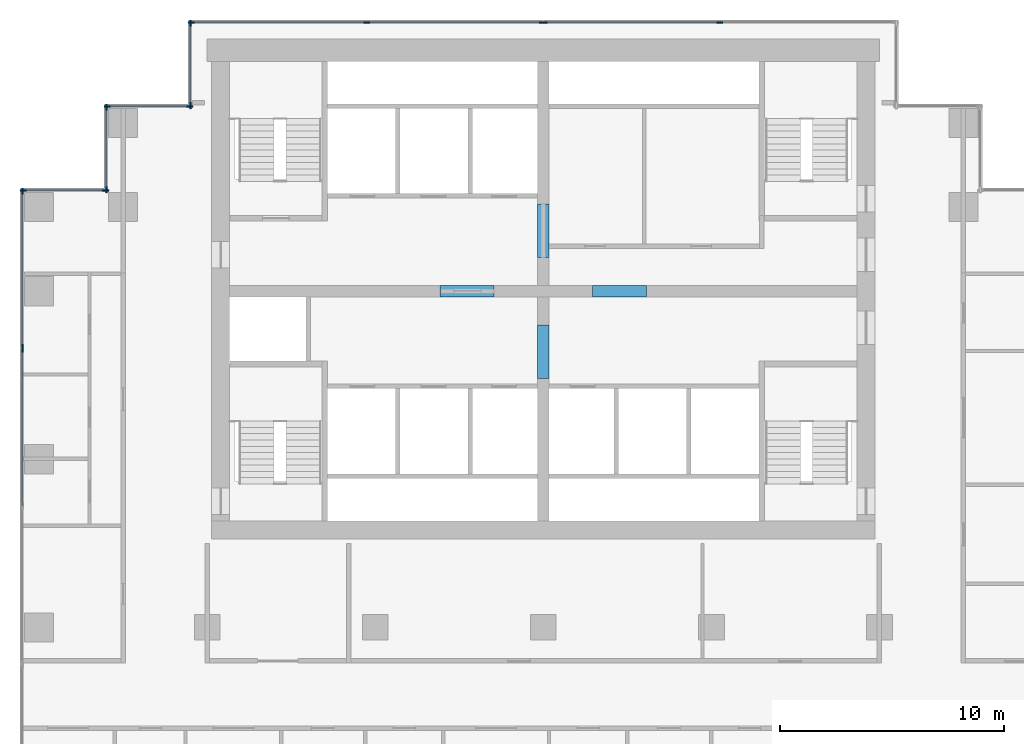
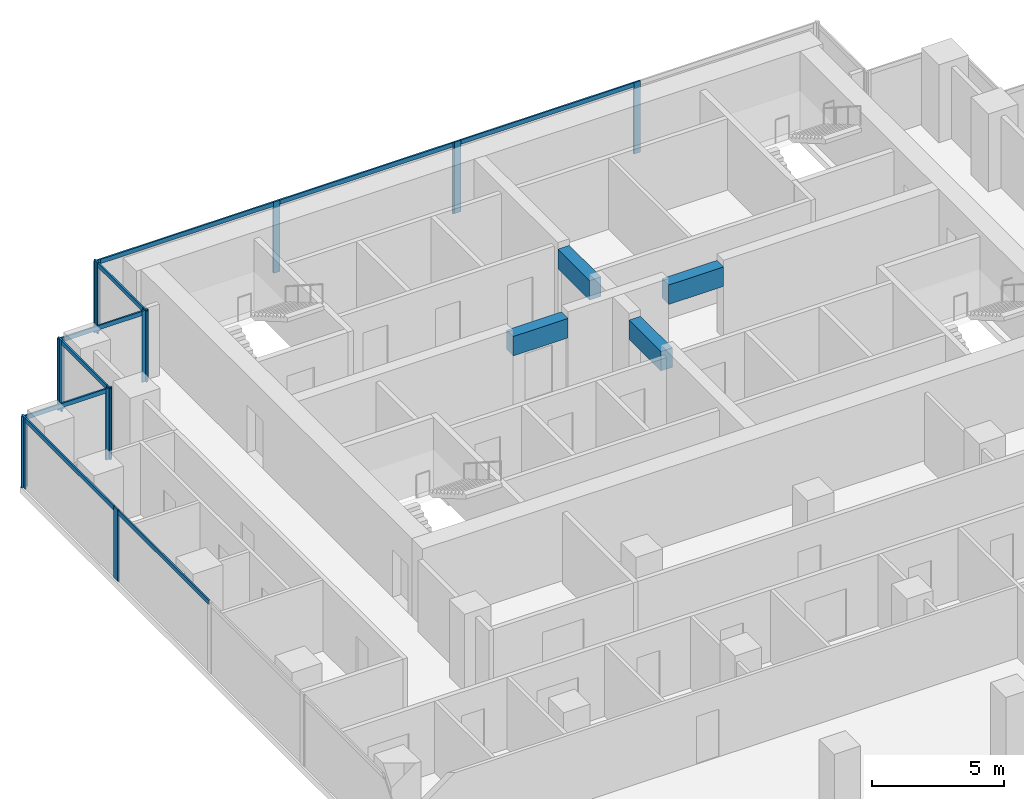
# One storey, part 4 of 10: 25 members, 4 beams, 8 elements without a shape of their own.
"""IFC4 building model written with IfcOpenShell, lengths in metres."""

from ifc_helpers import new_model, si_unit, direction, frame, origin, origin_2d, place, context, subcontext, project, spatial, rectangle, extrude, material, material_profile, profile_set, type_object, element, aggregate, save


model = new_model("IFC4")

# Units and contexts
model_context = context("Model", 3, precision=1e-05, world=origin(), true_north=direction((0.0, 1.0)))
body_context = subcontext(model_context, "Body", "Model", "MODEL_VIEW")
ifc_project = project(units=[si_unit("LENGTHUNIT", "METRE"), si_unit("AREAUNIT", "SQUARE_METRE"), si_unit("VOLUMEUNIT", "CUBIC_METRE"), si_unit("PLANEANGLEUNIT", "RADIAN"), si_unit("MASSUNIT", "GRAM", prefix="KILO")], contexts=[model_context])

# Site, building, storey
site_placement = place(None, origin())
site = spatial("IfcSite", under=ifc_project, at=site_placement, CompositionType="ELEMENT")
building_placement = place(site_placement, origin())
building = spatial("IfcBuilding", under=site, at=building_placement, Name="Pilkhan Gate Tower", CompositionType="ELEMENT")
storey_placement = place(building_placement, frame((0.0, 0.0, 107.199951171875)))
storey = spatial("IfcBuildingStorey", under=building, at=storey_placement, Name="L26", CompositionType="ELEMENT", Elevation=107.199951171875)

# Beams
ifc_material_1 = material(Name="Concrete C60/75", Category="concrete")
ifc_material_profile_1 = material_profile(ifc_material_1, rectangle(XDim=0.5, YDim=0.89990234375, at=origin_2d()), Name="RC 500x900")
ifc_profile_set_1 = profile_set([ifc_material_profile_1], Name="Concrete C60/75")
beam_type = type_object("IfcBeamType", Name="Coupling beam CB90 RC 500x900 C60/75", PredefinedType="LINTEL", material=ifc_profile_set_1)
for number, where, z_axis, x_axis, name in (
    (1, (70.39990234375, 82.5, 2.85009765625), (1.0, 0.0, 0.0), (0.0, 1.0, 0.0), "Coupling beam 1 L26"),
    (2, (77.199951171875, 82.5, 2.85009765625), (1.0, 0.0, 0.0), (0.0, 1.0, 0.0), "Coupling beam 2 L26"),
):
    element("IfcBeam", number, at=place(storey_placement, frame(where, z_axis=z_axis, x_axis=x_axis)), inside=storey, type_object=beam_type, Name=name, PredefinedType="LINTEL", context=body_context, shape_type="SweptSolid", body=[
        extrude(rectangle(XDim=0.5, YDim=0.89990234375, at=origin_2d()), origin(), (0.0, 0.0, 1.0), 2.400146484375),
    ])
for number, where, z_axis, x_axis, name in (
    (3, (75.0, 78.60009765625, 2.85009765625), (0.0, 1.0, 0.0), (-1.0, 0.0, 0.0), "Coupling beam 3 L26"),
    (4, (75.0, 84.0, 2.85009765625), (0.0, 1.0, 0.0), (-1.0, 0.0, 0.0), "Coupling beam 4 L26"),
):
    element("IfcBeam", number, at=place(storey_placement, frame(where, z_axis=z_axis, x_axis=x_axis)), inside=storey, type_object=beam_type, Name=name, PredefinedType="LINTEL", context=body_context, shape_type="SweptSolid", body=[
        extrude(rectangle(XDim=0.5, YDim=0.89990234375, at=origin_2d()), origin(), (0.0, 0.0, 1.0), 2.39990234375),
    ])

# Curtain wall, members
ifc_material_2 = material(Name="Pale anodised aluminium, clear low-iron double glazing", Category="aluminium")
curtain_wall_type = type_object("IfcCurtainWallType", Name="Office unitised curtain wall CW-O1", PredefinedType="USERDEFINED", material=ifc_material_2)
curtain_wall_1_placement = place(storey_placement, origin())
curtain_wall_1 = element("IfcCurtainWall", 5, at=curtain_wall_1_placement, inside=storey, type_object=curtain_wall_type, Name="Office unitised curtain wall CW-O1 L26 N", ObjectType="UNITISED CURTAIN WALL", PredefinedType="USERDEFINED")
ifc_material_3 = material(Name="Pale anodised aluminium", Category="aluminium")
ifc_material_profile_2 = material_profile(ifc_material_3, rectangle(XDim=0.070068359375, YDim=0.27490234375, at=origin_2d()), Name="Mullion 275x70")
ifc_profile_set_2 = profile_set([ifc_material_profile_2], Name="Pale anodised aluminium")
member_type_1 = type_object("IfcMemberType", Name="Mullion CW-O1 275x70", PredefinedType="MULLION", material=ifc_profile_set_2)
member_1_placement = place(storey_placement, frame((59.284912109375, 94.5, 0.0), z_axis=(0.0, 0.0, 1.0), x_axis=(0.0, 1.0, 0.0)))
member_1 = element("IfcMember", 6, at=member_1_placement, type_object=member_type_1, Name="CW-O1 mullion 1", PredefinedType="MULLION", context=body_context, shape_type="SweptSolid", body=[
    extrude(rectangle(XDim=0.070068359375, YDim=0.27490234375, at=origin_2d()), origin(), (0.0, 0.0, 1.0), 3.300048828125),
])
member_2_placement = place(storey_placement, frame((67.125, 94.5, 0.0), z_axis=(0.0, 0.0, 1.0), x_axis=(0.0, 1.0, 0.0)))
member_2 = element("IfcMember", 7, at=member_2_placement, type_object=member_type_1, Name="CW-O1 mullion 2", PredefinedType="MULLION", context=body_context, shape_type="SweptSolid", body=[
    extrude(rectangle(XDim=0.070068359375, YDim=0.27490234375, at=origin_2d()), origin(), (0.0, 0.0, 1.0), 3.300048828125),
])
member_3_placement = place(storey_placement, frame((74.965087890625, 94.5, 0.0), z_axis=(0.0, 0.0, 1.0), x_axis=(0.0, 1.0, 0.0)))
member_3 = element("IfcMember", 8, at=member_3_placement, type_object=member_type_1, Name="CW-O1 mullion 3", PredefinedType="MULLION", context=body_context, shape_type="SweptSolid", body=[
    extrude(rectangle(XDim=0.070068359375, YDim=0.27490234375, at=origin_2d()), origin(), (0.0, 0.0, 1.0), 3.300048828125),
])

curtain_wall_2_placement = place(storey_placement, origin())
curtain_wall_2 = element("IfcCurtainWall", 9, at=curtain_wall_2_placement, inside=storey, type_object=curtain_wall_type, Name="Office unitised curtain wall CW-O1 L26 N", ObjectType="UNITISED CURTAIN WALL", PredefinedType="USERDEFINED")
member_4_placement = place(storey_placement, frame((75.034912109375, 94.5, 0.0), z_axis=(0.0, 0.0, 1.0), x_axis=(0.0, 1.0, 0.0)))
member_4 = element("IfcMember", 10, at=member_4_placement, type_object=member_type_1, Name="CW-O1 mullion 1", PredefinedType="MULLION", context=body_context, shape_type="SweptSolid", body=[
    extrude(rectangle(XDim=0.070068359375, YDim=0.27490234375, at=origin_2d()), origin(), (0.0, 0.0, 1.0), 3.300048828125),
])
member_5_placement = place(storey_placement, frame((82.875, 94.5, 0.0), z_axis=(0.0, 0.0, 1.0), x_axis=(0.0, 1.0, 0.0)))
member_5 = element("IfcMember", 11, at=member_5_placement, type_object=member_type_1, Name="CW-O1 mullion 2", PredefinedType="MULLION", context=body_context, shape_type="SweptSolid", body=[
    extrude(rectangle(XDim=0.070068359375, YDim=0.27490234375, at=origin_2d()), origin(), (0.0, 0.0, 1.0), 3.300048828125),
])

curtain_wall_3_placement = place(storey_placement, origin())
curtain_wall_3 = element("IfcCurtainWall", 12, at=curtain_wall_3_placement, inside=storey, type_object=curtain_wall_type, Name="Office unitised curtain wall CW-O1 L26 W", ObjectType="UNITISED CURTAIN WALL", PredefinedType="USERDEFINED")
member_6_placement = place(storey_placement, frame((59.25, 90.784912109375, 0.0), z_axis=(0.0, 0.0, 1.0), x_axis=(-1.0, 0.0, 0.0)))
member_6 = element("IfcMember", 13, at=member_6_placement, type_object=member_type_1, Name="CW-O1 mullion 1", PredefinedType="MULLION", context=body_context, shape_type="SweptSolid", body=[
    extrude(rectangle(XDim=0.070068359375, YDim=0.27490234375, at=origin_2d()), origin(), (0.0, 0.0, 1.0), 3.300048828125),
])
member_7_placement = place(storey_placement, frame((59.25, 94.465087890625, 0.0), z_axis=(0.0, 0.0, 1.0), x_axis=(-1.0, 0.0, 0.0)))
member_7 = element("IfcMember", 14, at=member_7_placement, type_object=member_type_1, Name="CW-O1 mullion 2", PredefinedType="MULLION", context=body_context, shape_type="SweptSolid", body=[
    extrude(rectangle(XDim=0.070068359375, YDim=0.27490234375, at=origin_2d()), origin(), (0.0, 0.0, 1.0), 3.300048828125),
])

curtain_wall_4_placement = place(storey_placement, origin())
curtain_wall_4 = element("IfcCurtainWall", 15, at=curtain_wall_4_placement, inside=storey, type_object=curtain_wall_type, Name="Office unitised curtain wall CW-O1 L26 N", ObjectType="UNITISED CURTAIN WALL", PredefinedType="USERDEFINED")
member_8_placement = place(storey_placement, frame((55.534912109375, 90.75, 0.0), z_axis=(0.0, 0.0, 1.0), x_axis=(0.0, 1.0, 0.0)))
member_8 = element("IfcMember", 16, at=member_8_placement, type_object=member_type_1, Name="CW-O1 mullion 1", PredefinedType="MULLION", context=body_context, shape_type="SweptSolid", body=[
    extrude(rectangle(XDim=0.070068359375, YDim=0.27490234375, at=origin_2d()), origin(), (0.0, 0.0, 1.0), 3.300048828125),
])
member_9_placement = place(storey_placement, frame((59.215087890625, 90.75, 0.0), z_axis=(0.0, 0.0, 1.0), x_axis=(0.0, 1.0, 0.0)))
member_9 = element("IfcMember", 17, at=member_9_placement, type_object=member_type_1, Name="CW-O1 mullion 2", PredefinedType="MULLION", context=body_context, shape_type="SweptSolid", body=[
    extrude(rectangle(XDim=0.070068359375, YDim=0.27490234375, at=origin_2d()), origin(), (0.0, 0.0, 1.0), 3.300048828125),
])

curtain_wall_5_placement = place(storey_placement, origin())
curtain_wall_5 = element("IfcCurtainWall", 18, at=curtain_wall_5_placement, inside=storey, type_object=curtain_wall_type, Name="Office unitised curtain wall CW-O1 L26 W", ObjectType="UNITISED CURTAIN WALL", PredefinedType="USERDEFINED")
member_10_placement = place(storey_placement, frame((55.5, 87.034912109375, 0.0), z_axis=(0.0, 0.0, 1.0), x_axis=(-1.0, 0.0, 0.0)))
member_10 = element("IfcMember", 19, at=member_10_placement, type_object=member_type_1, Name="CW-O1 mullion 1", PredefinedType="MULLION", context=body_context, shape_type="SweptSolid", body=[
    extrude(rectangle(XDim=0.070068359375, YDim=0.27490234375, at=origin_2d()), origin(), (0.0, 0.0, 1.0), 3.300048828125),
])
member_11_placement = place(storey_placement, frame((55.5, 90.715087890625, 0.0), z_axis=(0.0, 0.0, 1.0), x_axis=(-1.0, 0.0, 0.0)))
member_11 = element("IfcMember", 20, at=member_11_placement, type_object=member_type_1, Name="CW-O1 mullion 2", PredefinedType="MULLION", context=body_context, shape_type="SweptSolid", body=[
    extrude(rectangle(XDim=0.070068359375, YDim=0.27490234375, at=origin_2d()), origin(), (0.0, 0.0, 1.0), 3.300048828125),
])

curtain_wall_6_placement = place(storey_placement, origin())
curtain_wall_6 = element("IfcCurtainWall", 21, at=curtain_wall_6_placement, inside=storey, type_object=curtain_wall_type, Name="Office unitised curtain wall CW-O1 L26 N", ObjectType="UNITISED CURTAIN WALL", PredefinedType="USERDEFINED")
member_12_placement = place(storey_placement, frame((51.784912109375, 87.0, 0.0), z_axis=(0.0, 0.0, 1.0), x_axis=(0.0, 1.0, 0.0)))
member_12 = element("IfcMember", 22, at=member_12_placement, type_object=member_type_1, Name="CW-O1 mullion 1", PredefinedType="MULLION", context=body_context, shape_type="SweptSolid", body=[
    extrude(rectangle(XDim=0.070068359375, YDim=0.27490234375, at=origin_2d()), origin(), (0.0, 0.0, 1.0), 3.300048828125),
])
member_13_placement = place(storey_placement, frame((55.465087890625, 87.0, 0.0), z_axis=(0.0, 0.0, 1.0), x_axis=(0.0, 1.0, 0.0)))
member_13 = element("IfcMember", 23, at=member_13_placement, type_object=member_type_1, Name="CW-O1 mullion 2", PredefinedType="MULLION", context=body_context, shape_type="SweptSolid", body=[
    extrude(rectangle(XDim=0.070068359375, YDim=0.27490234375, at=origin_2d()), origin(), (0.0, 0.0, 1.0), 3.300048828125),
])

# Curtain wall, member
curtain_wall_7_placement = place(storey_placement, origin())
curtain_wall_7 = element("IfcCurtainWall", 24, at=curtain_wall_7_placement, inside=storey, type_object=curtain_wall_type, Name="Office unitised curtain wall CW-O1 L26 W", ObjectType="UNITISED CURTAIN WALL", PredefinedType="USERDEFINED")
member_14_placement = place(storey_placement, frame((51.75, 79.9150390625, 0.0), z_axis=(0.0, 0.0, 1.0), x_axis=(-1.0, 0.0, 0.0)))
member_14 = element("IfcMember", 25, at=member_14_placement, type_object=member_type_1, Name="CW-O1 mullion 3", PredefinedType="MULLION", context=body_context, shape_type="SweptSolid", body=[
    extrude(rectangle(XDim=0.070068359375, YDim=0.27490234375, at=origin_2d()), origin(), (0.0, 0.0, 1.0), 3.300048828125),
])

# Curtain wall, members
curtain_wall_8_placement = place(storey_placement, origin())
curtain_wall_8 = element("IfcCurtainWall", 26, at=curtain_wall_8_placement, inside=storey, type_object=curtain_wall_type, Name="Office unitised curtain wall CW-O1 L26 W", ObjectType="UNITISED CURTAIN WALL", PredefinedType="USERDEFINED")
member_15_placement = place(storey_placement, frame((51.75, 79.985107421875, 0.0), z_axis=(0.0, 0.0, 1.0), x_axis=(-1.0, 0.0, 0.0)))
member_15 = element("IfcMember", 27, at=member_15_placement, type_object=member_type_1, Name="CW-O1 mullion 1", PredefinedType="MULLION", context=body_context, shape_type="SweptSolid", body=[
    extrude(rectangle(XDim=0.070068359375, YDim=0.27490234375, at=origin_2d()), origin(), (0.0, 0.0, 1.0), 3.300048828125),
])
member_16_placement = place(storey_placement, frame((51.75, 86.965087890625, 0.0), z_axis=(0.0, 0.0, 1.0), x_axis=(-1.0, 0.0, 0.0)))
member_16 = element("IfcMember", 28, at=member_16_placement, type_object=member_type_1, Name="CW-O1 mullion 2", PredefinedType="MULLION", context=body_context, shape_type="SweptSolid", body=[
    extrude(rectangle(XDim=0.070068359375, YDim=0.27490234375, at=origin_2d()), origin(), (0.0, 0.0, 1.0), 3.300048828125),
])

# Member
ifc_material_profile_3 = material_profile(ifc_material_3, rectangle(XDim=0.070068359375, YDim=0.199951171875, at=origin_2d()), Name="Transom 200x70")
ifc_profile_set_3 = profile_set([ifc_material_profile_3], Name="Pale anodised aluminium")
member_type_2 = type_object("IfcMemberType", Name="Transom CW-O1 200x70", PredefinedType="USERDEFINED", material=ifc_profile_set_3)
member_17_placement = place(storey_placement, frame((59.320068359375, 94.5, 3.199951171875), z_axis=(1.0, 0.0, 0.0), x_axis=(0.0, 1.0, 0.0)))
member_17 = element("IfcMember", 29, at=member_17_placement, type_object=member_type_2, Name="CW-O1 transom 1", ObjectType="TRANSOM", PredefinedType="USERDEFINED", context=body_context, shape_type="SweptSolid", body=[
    extrude(rectangle(XDim=0.070068359375, YDim=0.199951171875, at=origin_2d()), origin(), (0.0, 0.0, 1.0), 7.77001953125),
])

member_18_placement = place(storey_placement, frame((67.159912109375, 94.5, 3.199951171875), z_axis=(1.0, 0.0, 0.0), x_axis=(0.0, 1.0, 0.0)))
member_18 = element("IfcMember", 30, at=member_18_placement, type_object=member_type_2, Name="CW-O1 transom 2", ObjectType="TRANSOM", PredefinedType="USERDEFINED", context=body_context, shape_type="SweptSolid", body=[
    extrude(rectangle(XDim=0.070068359375, YDim=0.199951171875, at=origin_2d()), origin(), (0.0, 0.0, 1.0), 7.77001953125),
])

aggregate(curtain_wall_1, [member_1, member_2, member_3, member_17, member_18])

member_19_placement = place(storey_placement, frame((75.070068359375, 94.5, 3.199951171875), z_axis=(1.0, 0.0, 0.0), x_axis=(0.0, 1.0, 0.0)))
member_19 = element("IfcMember", 31, at=member_19_placement, type_object=member_type_2, Name="CW-O1 transom 1", ObjectType="TRANSOM", PredefinedType="USERDEFINED", context=body_context, shape_type="SweptSolid", body=[
    extrude(rectangle(XDim=0.070068359375, YDim=0.199951171875, at=origin_2d()), origin(), (0.0, 0.0, 1.0), 7.77001953125),
])

aggregate(curtain_wall_2, [member_4, member_5, member_19])

member_20_placement = place(storey_placement, frame((59.25, 90.820068359375, 3.199951171875), z_axis=(0.0, 1.0, 0.0), x_axis=(-1.0, 0.0, 0.0)))
member_20 = element("IfcMember", 32, at=member_20_placement, type_object=member_type_2, Name="CW-O1 transom 1", ObjectType="TRANSOM", PredefinedType="USERDEFINED", context=body_context, shape_type="SweptSolid", body=[
    extrude(rectangle(XDim=0.070068359375, YDim=0.199951171875, at=origin_2d()), origin(), (0.0, 0.0, 1.0), 3.60986328125),
])

aggregate(curtain_wall_3, [member_6, member_7, member_20])

member_21_placement = place(storey_placement, frame((55.570068359375, 90.75, 3.199951171875), z_axis=(1.0, 0.0, 0.0), x_axis=(0.0, 1.0, 0.0)))
member_21 = element("IfcMember", 33, at=member_21_placement, type_object=member_type_2, Name="CW-O1 transom 1", ObjectType="TRANSOM", PredefinedType="USERDEFINED", context=body_context, shape_type="SweptSolid", body=[
    extrude(rectangle(XDim=0.070068359375, YDim=0.199951171875, at=origin_2d()), origin(), (0.0, 0.0, 1.0), 3.60986328125),
])

aggregate(curtain_wall_4, [member_8, member_9, member_21])

member_22_placement = place(storey_placement, frame((55.5, 87.070068359375, 3.199951171875), z_axis=(0.0, 1.0, 0.0), x_axis=(-1.0, 0.0, 0.0)))
member_22 = element("IfcMember", 34, at=member_22_placement, type_object=member_type_2, Name="CW-O1 transom 1", ObjectType="TRANSOM", PredefinedType="USERDEFINED", context=body_context, shape_type="SweptSolid", body=[
    extrude(rectangle(XDim=0.070068359375, YDim=0.199951171875, at=origin_2d()), origin(), (0.0, 0.0, 1.0), 3.60986328125),
])

aggregate(curtain_wall_5, [member_10, member_11, member_22])

member_23_placement = place(storey_placement, frame((51.820068359375, 87.0, 3.199951171875), z_axis=(1.0, 0.0, 0.0), x_axis=(0.0, 1.0, 0.0)))
member_23 = element("IfcMember", 35, at=member_23_placement, type_object=member_type_2, Name="CW-O1 transom 1", ObjectType="TRANSOM", PredefinedType="USERDEFINED", context=body_context, shape_type="SweptSolid", body=[
    extrude(rectangle(XDim=0.070068359375, YDim=0.199951171875, at=origin_2d()), origin(), (0.0, 0.0, 1.0), 3.60986328125),
])

aggregate(curtain_wall_6, [member_12, member_13, member_23])

member_24_placement = place(storey_placement, frame((51.75, 72.93505859375, 3.199951171875), z_axis=(0.0, 1.0, 0.0), x_axis=(-1.0, 0.0, 0.0)))
member_24 = element("IfcMember", 36, at=member_24_placement, type_object=member_type_2, Name="CW-O1 transom 2", ObjectType="TRANSOM", PredefinedType="USERDEFINED", context=body_context, shape_type="SweptSolid", body=[
    extrude(rectangle(XDim=0.070068359375, YDim=0.199951171875, at=origin_2d()), origin(), (0.0, 0.0, 1.0), 6.94482421875),
])

aggregate(curtain_wall_7, [member_14, member_24])

member_25_placement = place(storey_placement, frame((51.75, 80.02001953125, 3.199951171875), z_axis=(0.0, 1.0, 0.0), x_axis=(-1.0, 0.0, 0.0)))
member_25 = element("IfcMember", 37, at=member_25_placement, type_object=member_type_2, Name="CW-O1 transom 1", ObjectType="TRANSOM", PredefinedType="USERDEFINED", context=body_context, shape_type="SweptSolid", body=[
    extrude(rectangle(XDim=0.070068359375, YDim=0.199951171875, at=origin_2d()), origin(), (0.0, 0.0, 1.0), 6.909912109375),
])

aggregate(curtain_wall_8, [member_15, member_16, member_25])

save(model, "model.ifc")
